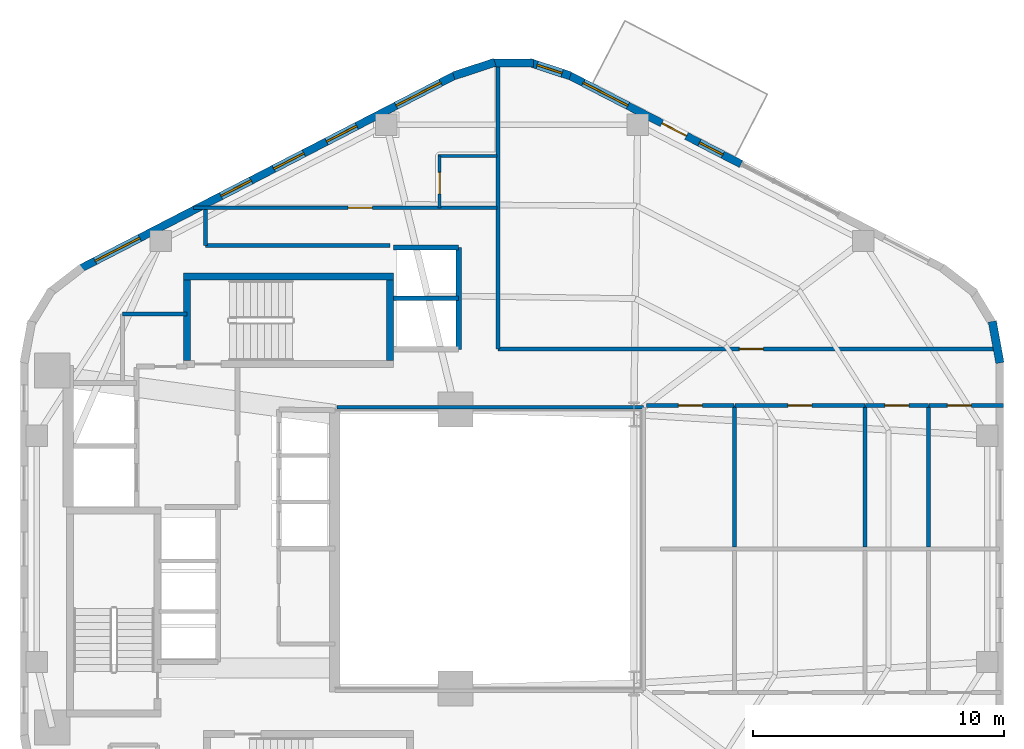
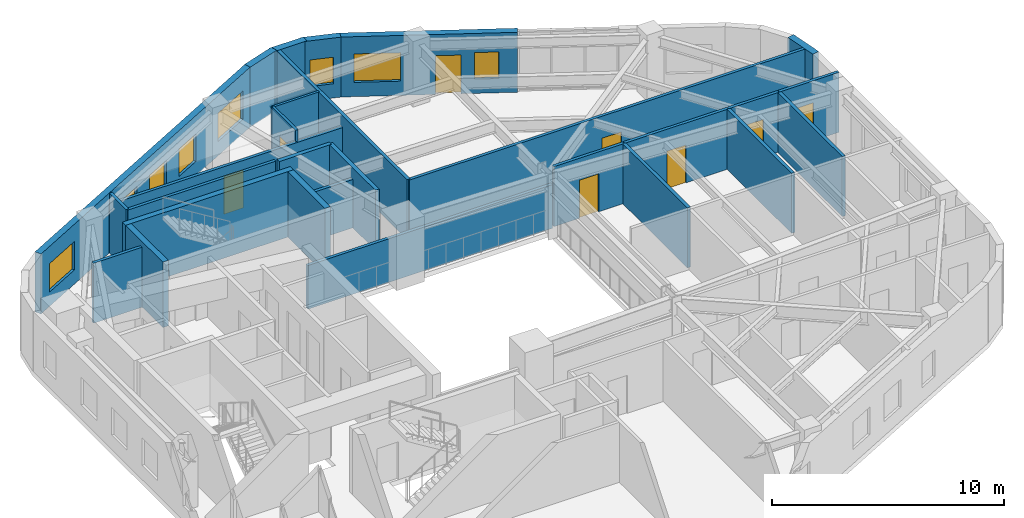
# One storey, part 8 of 11: 28 walls, 8 doors, 8 windows, 16 openings.
"""IFC4 building model written with IfcOpenShell, lengths in metres."""

from ifc_helpers import new_model, si_unit, direction, frame, frame_2d, origin, place, context, subcontext, project, spatial, rectangle, extrude, material, layer, layer_set, type_object, element, fill, save


model = new_model("IFC4")

# Units and contexts
model_context = context("Model", 3, precision=1e-05, world=origin(), true_north=direction((0.0, 1.0)))
body_context = subcontext(model_context, "Body", "Model", "MODEL_VIEW")
ifc_project = project(units=[si_unit("LENGTHUNIT", "METRE"), si_unit("AREAUNIT", "SQUARE_METRE"), si_unit("VOLUMEUNIT", "CUBIC_METRE"), si_unit("PLANEANGLEUNIT", "RADIAN"), si_unit("MASSUNIT", "GRAM", prefix="KILO"), si_unit("THERMODYNAMICTEMPERATUREUNIT", "KELVIN"), si_unit("POWERUNIT", "WATT")], contexts=[model_context])

# Site, building, storey
site_placement = place(None, origin())
site = spatial("IfcSite", under=ifc_project, at=site_placement, CompositionType="ELEMENT")
building_placement = place(site_placement, origin())
building = spatial("IfcBuilding", under=site, at=building_placement, Name="Skarre Station Tower", CompositionType="ELEMENT")
storey_placement = place(building_placement, frame((0.0, 0.0, 170.550048828125)))
storey = spatial("IfcBuildingStorey", under=building, at=storey_placement, Name="L46", CompositionType="ELEMENT", Elevation=170.550048828125)

# Walls
ifc_material_1 = material(Name="Acoustic Steel-Stud Gypsum Partition", Category="steel")
ifc_layer_1 = layer(ifc_material_1, 0.14990234375, Name="Acoustic Steel-Stud Gypsum Partition")
ifc_layer_set_1 = layer_set([ifc_layer_1], Name="Acoustic Steel-Stud Gypsum Partition")
wall_type_1 = type_object("IfcWallType", Name="Fire-Rated Corridor Acoustic Partition 150", PredefinedType="PARTITIONING", material=ifc_layer_set_1)
wall_1_placement = place(storey_placement, frame((21.659912109375, 33.35009765625, 0.0), z_axis=(0.0, 0.0, 1.0), x_axis=(-1.0, 0.0, 0.0)))
element("IfcWall", 1, at=wall_1_placement, inside=storey, type_object=wall_type_1, Name="L46 Interior Partition WL-PT-L46-CNW-N1", PredefinedType="PARTITIONING", context=body_context, shape_type="SweptSolid", body=[
    extrude(rectangle(XDim=2.559814453125, YDim=0.14990234375, at=frame_2d((1.27978515625, 0.0))), origin(), (0.0, 0.0, 1.0), 3.159912109375),
])
wall_2_placement = place(storey_placement, frame((39.840087890625, 29.639892578125, 0.0), z_axis=(0.0, 0.0, 1.0), x_axis=(-1.0, 0.0, 0.0)))
element("IfcWall", 2, at=wall_2_placement, inside=storey, type_object=wall_type_1, Name="L46 Interior Partition WL-PT-L46-ATRW-N", PredefinedType="PARTITIONING", context=body_context, shape_type="SweptSolid", body=[
    extrude(rectangle(XDim=12.2001953125, YDim=0.14990234375, at=frame_2d((6.10009765625, 0.0))), origin(), (0.0, 0.0, 1.0), 2.301025390625),
])

# Wall, opening, door
wall_3_placement = place(storey_placement, frame((34.0, 37.580078125, 0.0), z_axis=(0.0, 0.0, 1.0), x_axis=(-1.0, 0.0, 0.0)))
wall_3 = element("IfcWall", 3, at=wall_3_placement, inside=storey, type_object=wall_type_1, Name="L46 Interior Partition WL-PT-L46-NWW1-CW", PredefinedType="PARTITIONING", context=body_context, shape_type="SweptSolid", body=[
    extrude(rectangle(XDim=12.074951171875, YDim=0.14990234375, at=frame_2d((6.03759765625, 0.0))), origin(), (0.0, 0.0, 1.0), 2.552001953125),
])
opening_1_placement = place(wall_3_placement, frame((4.9599609375, 0.0, 0.0)))
opening_1 = element("IfcOpeningElement", 4, at=opening_1_placement, cuts=wall_3, Name="Opening DR-FD60", PredefinedType="OPENING", context=body_context, shape_type="SweptSolid", body=[
    extrude(rectangle(XDim=0.9599609375, YDim=2.0, at=frame_2d((0.47998046875, 1.0))), frame((0.0, 0.0849609375, 0.0), z_axis=(0.0, -1.0, 0.0), x_axis=(1.0, 0.0, 0.0)), (0.0, 0.0, 1.0), 0.169921875),
])
ifc_material_2 = material(Name="Nordic White-Oak Veneer Solid-Core Fire Leaf", Category="wood")
door_type_1 = type_object("IfcDoorType", Name="Corridor Suite Entry Fire Door FD60 960x2150", OperationType="SINGLE_SWING_LEFT", PredefinedType="DOOR", material=ifc_material_2)
door_1_placement = place(opening_1_placement, origin())
door_1 = element("IfcDoor", 5, at=door_1_placement, inside=storey, type_object=door_type_1, Name="L46 NWW1 Entry Door", OperationType="SINGLE_SWING_LEFT", OverallHeight=2.0, OverallWidth=0.9599609375, PredefinedType="DOOR", context=body_context, shape_type="SweptSolid", body=[
    extrude(rectangle(XDim=0.9599609375, YDim=2.0, at=frame_2d((0.47998046875, 1.0))), frame((0.0, 0.02490234375, 0.0), z_axis=(0.0, -1.0, 0.0), x_axis=(1.0, 0.0, 0.0)), (0.0, 0.0, 1.0), 0.050048828125),
])
fill(opening_1, door_1)

wall_4_placement = place(storey_placement, frame((54.077880859375, 31.9599609375, 0.0), z_axis=(0.0, 0.0, 1.0), x_axis=(-1.0, 0.0, 0.0)))
wall_4 = element("IfcWall", 6, at=wall_4_placement, inside=storey, type_object=wall_type_1, Name="L46 Interior Partition WL-PT-L46-NW1-CW", PredefinedType="PARTITIONING", context=body_context, shape_type="SweptSolid", body=[
    extrude(rectangle(XDim=20.037841796875, YDim=0.14990234375, at=frame_2d((10.01904296875, 0.0))), origin(), (0.0, 0.0, 1.0), 3.159912109375),
])
opening_2_placement = place(wall_4_placement, frame((9.468017578125, 0.0, 0.0)))
opening_2 = element("IfcOpeningElement", 7, at=opening_2_placement, cuts=wall_4, Name="Opening DR-FD60", PredefinedType="OPENING", context=body_context, shape_type="SweptSolid", body=[
    extrude(rectangle(XDim=0.9599609375, YDim=2.0, at=frame_2d((0.47998046875, 1.0))), frame((0.0, 0.0849609375, 0.0), z_axis=(0.0, -1.0, 0.0), x_axis=(1.0, 0.0, 0.0)), (0.0, 0.0, 1.0), 0.169921875),
])
door_2_placement = place(opening_2_placement, origin())
door_2 = element("IfcDoor", 8, at=door_2_placement, inside=storey, type_object=door_type_1, Name="L46 NW1 Entry Door", OperationType="SINGLE_SWING_LEFT", OverallHeight=2.0, OverallWidth=0.9599609375, PredefinedType="DOOR", context=body_context, shape_type="SweptSolid", body=[
    extrude(rectangle(XDim=0.9599609375, YDim=2.0, at=frame_2d((0.47998046875, 1.0))), frame((0.0, 0.02490234375, 0.0), z_axis=(0.0, -1.0, 0.0), x_axis=(1.0, 0.0, 0.0)), (0.0, 0.0, 1.0), 0.050048828125),
])
fill(opening_2, door_2)

wall_5_placement = place(storey_placement, frame((39.949951171875, 29.7099609375, 0.0), z_axis=(0.0, 0.0, 1.0), x_axis=(1.0, 0.0, 0.0)))
wall_5 = element("IfcWall", 9, at=wall_5_placement, inside=storey, type_object=wall_type_1, Name="L46 Interior Partition WL-PT-L46-EWN1-CW", PredefinedType="PARTITIONING", context=body_context, shape_type="SweptSolid", body=[
    extrude(rectangle(XDim=3.49609375, YDim=0.14990234375, at=frame_2d((1.748046875, 0.0))), origin(), (0.0, 0.0, 1.0), 3.159912109375),
])
opening_3_placement = place(wall_5_placement, frame((1.26806640625, 0.0, 0.0)))
opening_3 = element("IfcOpeningElement", 10, at=opening_3_placement, cuts=wall_5, Name="Opening DR-FD60", PredefinedType="OPENING", context=body_context, shape_type="SweptSolid", body=[
    extrude(rectangle(XDim=0.9599609375, YDim=2.0, at=frame_2d((0.47998046875, 1.0))), frame((0.0, 0.0849609375, 0.0), z_axis=(0.0, -1.0, 0.0), x_axis=(1.0, 0.0, 0.0)), (0.0, 0.0, 1.0), 0.169921875),
])
door_3_placement = place(opening_3_placement, origin())
door_3 = element("IfcDoor", 11, at=door_3_placement, inside=storey, type_object=door_type_1, Name="L46 EWN1 Entry Door", OperationType="SINGLE_SWING_LEFT", OverallHeight=2.0, OverallWidth=0.9599609375, PredefinedType="DOOR", context=body_context, shape_type="SweptSolid", body=[
    extrude(rectangle(XDim=0.9599609375, YDim=2.0, at=frame_2d((0.47998046875, 1.0))), frame((0.0, 0.02490234375, 0.0), z_axis=(0.0, -1.0, 0.0), x_axis=(1.0, 0.0, 0.0)), (0.0, 0.0, 1.0), 0.050048828125),
])
fill(opening_3, door_3)

wall_6_placement = place(storey_placement, frame((43.47607421875, 29.7099609375, 0.0), z_axis=(0.0, 0.0, 1.0), x_axis=(1.0, 0.0, 0.0)))
wall_6 = element("IfcWall", 12, at=wall_6_placement, inside=storey, type_object=wall_type_1, Name="L46 Interior Partition WL-PT-L46-EWN2-CW", PredefinedType="PARTITIONING", context=body_context, shape_type="SweptSolid", body=[
    extrude(rectangle(XDim=5.1650390625, YDim=0.14990234375, at=frame_2d((2.58251953125, 0.0))), origin(), (0.0, 0.0, 1.0), 3.159912109375),
])
opening_4_placement = place(wall_6_placement, frame((2.10205078125, 0.0, 0.0)))
opening_4 = element("IfcOpeningElement", 13, at=opening_4_placement, cuts=wall_6, Name="Opening DR-FD60", PredefinedType="OPENING", context=body_context, shape_type="SweptSolid", body=[
    extrude(rectangle(XDim=0.9599609375, YDim=2.0, at=frame_2d((0.47998046875, 1.0))), frame((0.0, 0.0849609375, 0.0), z_axis=(0.0, -1.0, 0.0), x_axis=(1.0, 0.0, 0.0)), (0.0, 0.0, 1.0), 0.169921875),
])
door_4_placement = place(opening_4_placement, origin())
door_4 = element("IfcDoor", 14, at=door_4_placement, inside=storey, type_object=door_type_1, Name="L46 EWN2 Entry Door", OperationType="SINGLE_SWING_LEFT", OverallHeight=2.0, OverallWidth=0.9599609375, PredefinedType="DOOR", context=body_context, shape_type="SweptSolid", body=[
    extrude(rectangle(XDim=0.9599609375, YDim=2.0, at=frame_2d((0.47998046875, 1.0))), frame((0.0, 0.02490234375, 0.0), z_axis=(0.0, -1.0, 0.0), x_axis=(1.0, 0.0, 0.0)), (0.0, 0.0, 1.0), 0.050048828125),
])
fill(opening_4, door_4)

wall_7_placement = place(storey_placement, frame((48.6708984375, 29.7099609375, 0.0), z_axis=(0.0, 0.0, 1.0), x_axis=(1.0, 0.0, 0.0)))
wall_7 = element("IfcWall", 15, at=wall_7_placement, inside=storey, type_object=wall_type_1, Name="L46 Interior Partition WL-PT-L46-EWN3-CW", PredefinedType="PARTITIONING", context=body_context, shape_type="SweptSolid", body=[
    extrude(rectangle(XDim=2.498046875, YDim=0.14990234375, at=frame_2d((1.2490234375, 0.0))), origin(), (0.0, 0.0, 1.0), 3.159912109375),
])
opening_5_placement = place(wall_7_placement, frame((0.76904296875, 0.0, 0.0)))
opening_5 = element("IfcOpeningElement", 16, at=opening_5_placement, cuts=wall_7, Name="Opening DR-FD60", PredefinedType="OPENING", context=body_context, shape_type="SweptSolid", body=[
    extrude(rectangle(XDim=0.9599609375, YDim=2.0, at=frame_2d((0.47998046875, 1.0))), frame((0.0, 0.0849609375, 0.0), z_axis=(0.0, -1.0, 0.0), x_axis=(1.0, 0.0, 0.0)), (0.0, 0.0, 1.0), 0.169921875),
])
door_5_placement = place(opening_5_placement, origin())
door_5 = element("IfcDoor", 17, at=door_5_placement, inside=storey, type_object=door_type_1, Name="L46 EWN3 Entry Door", OperationType="SINGLE_SWING_LEFT", OverallHeight=2.0, OverallWidth=0.9599609375, PredefinedType="DOOR", context=body_context, shape_type="SweptSolid", body=[
    extrude(rectangle(XDim=0.9599609375, YDim=2.0, at=frame_2d((0.47998046875, 1.0))), frame((0.0, 0.02490234375, 0.0), z_axis=(0.0, -1.0, 0.0), x_axis=(1.0, 0.0, 0.0)), (0.0, 0.0, 1.0), 0.050048828125),
])
fill(opening_5, door_5)

wall_8_placement = place(storey_placement, frame((51.198974609375, 29.7099609375, 0.0), z_axis=(0.0, 0.0, 1.0), x_axis=(1.0, 0.0, 0.0)))
wall_8 = element("IfcWall", 18, at=wall_8_placement, inside=storey, type_object=wall_type_1, Name="L46 Interior Partition WL-PT-L46-EWN4-CW", PredefinedType="PARTITIONING", context=body_context, shape_type="SweptSolid", body=[
    extrude(rectangle(XDim=2.963134765625, YDim=0.14990234375, at=frame_2d((1.4814453125, 0.0))), origin(), (0.0, 0.0, 1.0), 3.159912109375),
])
opening_6_placement = place(wall_8_placement, frame((0.72607421875, 0.0, 0.0)))
opening_6 = element("IfcOpeningElement", 19, at=opening_6_placement, cuts=wall_8, Name="Opening DR-FD60", PredefinedType="OPENING", context=body_context, shape_type="SweptSolid", body=[
    extrude(rectangle(XDim=0.9599609375, YDim=2.0, at=frame_2d((0.47998046875, 1.0))), frame((0.0, 0.0849609375, 0.0), z_axis=(0.0, -1.0, 0.0), x_axis=(1.0, 0.0, 0.0)), (0.0, 0.0, 1.0), 0.169921875),
])
door_6_placement = place(opening_6_placement, origin())
door_6 = element("IfcDoor", 20, at=door_6_placement, inside=storey, type_object=door_type_1, Name="L46 EWN4 Entry Door", OperationType="SINGLE_SWING_LEFT", OverallHeight=2.0, OverallWidth=0.9599609375, PredefinedType="DOOR", context=body_context, shape_type="SweptSolid", body=[
    extrude(rectangle(XDim=0.9599609375, YDim=2.0, at=frame_2d((0.47998046875, 1.0))), frame((0.0, 0.02490234375, 0.0), z_axis=(0.0, -1.0, 0.0), x_axis=(1.0, 0.0, 0.0)), (0.0, 0.0, 1.0), 0.050048828125),
])
fill(opening_6, door_6)

# Walls
wall_9_placement = place(storey_placement, frame((29.7529296875, 36.080078125, 0.0), z_axis=(0.0, 0.0, 1.0), x_axis=(-1.0, 0.0, 0.0)))
element("IfcWall", 21, at=wall_9_placement, inside=storey, type_object=wall_type_1, Name="L46 Interior Partition WL-PT-L46-CSEAL-1", PredefinedType="PARTITIONING", context=body_context, shape_type="SweptSolid", body=[
    extrude(rectangle(XDim=7.35302734375, YDim=0.14990234375, at=frame_2d((3.676513671875, 0.0))), origin(), (0.0, 0.0, 1.0), 3.159912109375),
])
wall_10_placement = place(storey_placement, frame((22.39990234375, 36.080078125, 0.0), z_axis=(0.0, 0.0, 1.0), x_axis=(0.0, 1.0, 0.0)))
element("IfcWall", 22, at=wall_10_placement, inside=storey, type_object=wall_type_1, Name="L46 Interior Partition WL-PT-L46-CSEAL-2", PredefinedType="PARTITIONING", context=body_context, shape_type="SweptSolid", body=[
    extrude(rectangle(XDim=1.429931640625, YDim=0.14990234375, at=frame_2d((0.71484375, 0.0))), origin(), (0.0, 0.0, 1.0), 3.159912109375),
])
ifc_material_3 = material(Name="Insulated Timber-Stud Gypsum Partition", Category="wood")
ifc_layer_2 = layer(ifc_material_3, 0.1201171875, Name="Insulated Timber-Stud Gypsum Partition")
ifc_layer_set_2 = layer_set([ifc_layer_2], Name="Insulated Timber-Stud Gypsum Partition")
wall_type_2 = type_object("IfcWallType", Name="Internal Suite Acoustic Partition 120", PredefinedType="PARTITIONING", material=ifc_layer_set_2)
wall_11_placement = place(storey_placement, frame((34.0, 39.639892578125, 0.0), z_axis=(0.0, 0.0, 1.0), x_axis=(-1.0, 0.0, 0.0)))
element("IfcWall", 23, at=wall_11_placement, inside=storey, type_object=wall_type_2, Name="L46 Interior Partition WL-PT-L46-NWW1-EW3", PredefinedType="PARTITIONING", context=body_context, shape_type="SweptSolid", body=[
    extrude(rectangle(XDim=2.340087890625, YDim=0.1201171875, at=frame_2d((1.169921875, 0.0))), origin(), (0.0, 0.0, 1.0), 3.159912109375),
])

# Wall, opening, door
wall_12_placement = place(storey_placement, frame((31.719970703125, 39.639892578125, 0.0), z_axis=(0.0, 0.0, 1.0), x_axis=(0.0, -1.0, 0.0)))
wall_12 = element("IfcWall", 24, at=wall_12_placement, inside=storey, type_object=wall_type_2, Name="L46 Interior Partition WL-PT-L46-NWW1-EW4", PredefinedType="PARTITIONING", context=body_context, shape_type="SweptSolid", body=[
    extrude(rectangle(XDim=2.059814453125, YDim=0.1201171875, at=frame_2d((1.02978515625, 0.0))), origin(), (0.0, 0.0, 1.0), 3.159912109375),
])
opening_7_placement = place(wall_12_placement, frame((0.64990234375, 0.0, 0.0)))
opening_7 = element("IfcOpeningElement", 25, at=opening_7_placement, cuts=wall_12, Name="Opening DR-INT86", PredefinedType="OPENING", context=body_context, shape_type="SweptSolid", body=[
    extrude(rectangle(XDim=0.860107421875, YDim=2.0, at=frame_2d((0.43017578125, 1.0))), frame((0.0, 0.070068359375, 0.0), z_axis=(0.0, -1.0, 0.0), x_axis=(1.0, 0.0, 0.0)), (0.0, 0.0, 1.0), 0.14013671875),
])
ifc_material_4 = material(Name="Nordic Birch Acoustic Solid-Core Timber Leaf", Category="wood")
door_type_2 = type_object("IfcDoorType", Name="Internal En-Suite & Bedroom Door 860x2100", OperationType="SINGLE_SWING_LEFT", PredefinedType="DOOR", material=ifc_material_4)
door_7_placement = place(opening_7_placement, origin())
door_7 = element("IfcDoor", 26, at=door_7_placement, inside=storey, type_object=door_type_2, Name="L46 NWW1 En-suite Door", OperationType="SINGLE_SWING_RIGHT", OverallHeight=2.0, OverallWidth=0.860107421875, PredefinedType="DOOR", context=body_context, shape_type="SweptSolid", body=[
    extrude(rectangle(XDim=0.860107421875, YDim=2.0, at=frame_2d((0.43017578125, 1.0))), frame((0.0, 0.02490234375, 0.0), z_axis=(0.0, -1.0, 0.0), x_axis=(1.0, 0.0, 0.0)), (0.0, 0.0, 1.0), 0.050048828125),
])
fill(opening_7, door_7)

# Walls
ifc_material_5 = material(Name="Precast concrete C45/55", Category="concrete")
ifc_layer_3 = layer(ifc_material_5, 0.330078125, Name="Precast concrete C45/55")
ifc_layer_set_3 = layer_set([ifc_layer_3], Name="Precast concrete C45/55")
wall_type_3 = type_object("IfcWallType", Name="Nordic Rounded Corner Precast Wall 330", PredefinedType="STANDARD", material=ifc_layer_set_3)
wall_13_placement = place(storey_placement, frame((53.718017578125, 33.056884765625, 0.0), z_axis=(0.0, 0.0, 1.0), x_axis=(0.180717642671, -0.983535019014, 0.0)))
element("IfcWall", 27, at=wall_13_placement, inside=storey, type_object=wall_type_3, Name="L46 Rounded Corner Precast Wall F0-3", PredefinedType="STANDARD", context=body_context, shape_type="SweptSolid", body=[
    extrude(rectangle(XDim=1.676513671875, YDim=0.330078125, at=frame_2d((0.83837890625, 0.0))), origin(), (0.0, 0.0, 1.0), 3.159912109375),
])
wall_14_placement = place(storey_placement, frame((32.281005859375, 42.83203125, 0.0), z_axis=(0.0, 0.0, 1.0), x_axis=(0.949937416267, 0.312440242569, 0.0)))
element("IfcWall", 28, at=wall_14_placement, inside=storey, type_object=wall_type_3, Name="L46 Rounded Corner Precast Wall F1-1", PredefinedType="STANDARD", context=body_context, shape_type="SweptSolid", body=[
    extrude(rectangle(XDim=1.72216796875, YDim=0.330078125, at=frame_2d((0.861083984375, 0.0))), origin(), (0.0, 0.0, 1.0), 3.159912109375),
])
wall_15_placement = place(storey_placement, frame((33.739013671875, 43.341064453125, 0.0), z_axis=(0.0, 0.0, 1.0), x_axis=(1.0, 0.0, 0.0)))
element("IfcWall", 29, at=wall_15_placement, inside=storey, type_object=wall_type_3, Name="L46 Rounded Corner Precast Wall F1-2", PredefinedType="STANDARD", context=body_context, shape_type="SweptSolid", body=[
    extrude(rectangle(XDim=1.721923828125, YDim=0.330078125, at=frame_2d((0.86083984375, 0.0))), origin(), (0.0, 0.0, 1.0), 3.159912109375),
])

# Wall, opening, window
wall_16_placement = place(storey_placement, frame((35.282958984375, 43.3701171875, 0.0), z_axis=(0.0, 0.0, 1.0), x_axis=(0.949937416267, -0.312440242569, 0.0)))
wall_16 = element("IfcWall", 30, at=wall_16_placement, inside=storey, type_object=wall_type_3, Name="L46 Rounded Corner Precast Wall F1-3", PredefinedType="STANDARD", context=body_context, shape_type="SweptSolid", body=[
    extrude(rectangle(XDim=1.72216796875, YDim=0.330078125, at=frame_2d((0.861083984375, 0.0))), origin(), (0.0, 0.0, 1.0), 3.159912109375),
])
opening_8_placement = place(wall_16_placement, frame((0.3359375, 0.0, 0.75)))
opening_8 = element("IfcOpeningElement", 31, at=opening_8_placement, cuts=wall_16, Name="Opening WN-SLT", PredefinedType="OPENING", context=body_context, shape_type="SweptSolid", body=[
    extrude(rectangle(XDim=1.050048828125, YDim=1.39990234375, at=frame_2d((0.52490234375, 0.699951171875))), frame((0.0, 0.175048828125, 0.0), z_axis=(0.0, -1.0, 0.0), x_axis=(1.0, 0.0, 0.0)), (0.0, 0.0, 1.0), 0.35009765625),
])
ifc_material_6 = material(Name="Low-Iron Triple Glazing with Bronze Anodized Frame", Category="glass")
window_type_1 = type_object("IfcWindowType", Name="Nordic Corner Slot Window 1050x1400", PartitioningType="SINGLE_PANEL", PredefinedType="WINDOW", material=ifc_material_6)
window_1_placement = place(opening_8_placement, origin())
window_1 = element("IfcWindow", 32, at=window_1_placement, inside=storey, type_object=window_type_1, Name="L46 Apex Corner Slot Window F1-3", OverallHeight=1.39990234375, OverallWidth=1.050048828125, PartitioningType="SINGLE_PANEL", PredefinedType="WINDOW", context=body_context, shape_type="SweptSolid", body=[
    extrude(rectangle(XDim=1.050048828125, YDim=1.39990234375, at=frame_2d((0.52490234375, 0.699951171875))), frame((0.0, 0.030029296875, 0.0), z_axis=(0.0, -1.0, 0.0), x_axis=(1.0, 0.0, 0.0)), (0.0, 0.0, 1.0), 0.06005859375),
])
fill(opening_8, window_1)

# Wall, openings, windows, door
ifc_layer_4 = layer(ifc_material_5, 0.31005859375, Name="Precast concrete C45/55")
ifc_layer_set_4 = layer_set([ifc_layer_4], Name="Precast concrete C45/55")
wall_type_4 = type_object("IfcWallType", Name="Nordic Upper-Zone Precast Facet Wall 310", PredefinedType="STANDARD", material=ifc_layer_set_4)
wall_17_placement = place(storey_placement, frame((36.837890625, 42.87109375, 0.0), z_axis=(0.0, 0.0, 1.0), x_axis=(0.888645948291, -0.458593914686, 0.0)))
wall_17 = element("IfcWall", 33, at=wall_17_placement, inside=storey, type_object=wall_type_4, Name="L46 Facet 0 Pier A", PredefinedType="STANDARD", context=body_context, shape_type="SweptSolid", body=[
    extrude(rectangle(XDim=7.7412109375, YDim=0.31005859375, at=frame_2d((3.87060546875, 0.0))), origin(), (0.0, 0.0, 1.0), 3.159912109375),
])
opening_9_placement = place(wall_17_placement, frame((4.196044921875, 0.0, 0.0)))
opening_9 = element("IfcOpeningElement", 34, at=opening_9_placement, cuts=wall_17, Name="Opening DR-BAL110", PredefinedType="OPENING", context=body_context, shape_type="SweptSolid", body=[
    extrude(rectangle(XDim=1.10009765625, YDim=2.0400390625, at=frame_2d((0.550048828125, 1.02001953125))), frame((0.0, 0.1650390625, 0.0), z_axis=(0.0, -1.0, 0.0), x_axis=(1.0, 0.0, 0.0)), (0.0, 0.0, 1.0), 0.330078125),
])
opening_10_placement = place(wall_17_placement, frame((0.675048828125, 0.0, 0.75)))
opening_10 = element("IfcOpeningElement", 35, at=opening_10_placement, cuts=wall_17, Name="Opening WN-Z3A", PredefinedType="OPENING", context=body_context, shape_type="SweptSolid", body=[
    extrude(rectangle(XDim=2.0, YDim=1.5, at=frame_2d((1.0, 0.75))), frame((0.0, 0.1650390625, 0.0), z_axis=(0.0, -1.0, 0.0), x_axis=(1.0, 0.0, 0.0)), (0.0, 0.0, 1.0), 0.330078125),
])
opening_11_placement = place(wall_17_placement, frame((5.87890625, 0.0, 0.75)))
opening_11 = element("IfcOpeningElement", 36, at=opening_11_placement, cuts=wall_17, Name="Opening WN-SLT", PredefinedType="OPENING", context=body_context, shape_type="SweptSolid", body=[
    extrude(rectangle(XDim=1.050048828125, YDim=1.39990234375, at=frame_2d((0.52490234375, 0.699951171875))), frame((0.0, 0.1650390625, 0.0), z_axis=(0.0, -1.0, 0.0), x_axis=(1.0, 0.0, 0.0)), (0.0, 0.0, 1.0), 0.330078125),
])
window_2_placement = place(opening_11_placement, origin())
window_2 = element("IfcWindow", 37, at=window_2_placement, inside=storey, type_object=window_type_1, Name="L46 Facade Window WL-FAC-L46-F0A-2", OverallHeight=1.39990234375, OverallWidth=1.050048828125, PartitioningType="SINGLE_PANEL", PredefinedType="WINDOW", context=body_context, shape_type="SweptSolid", body=[
    extrude(rectangle(XDim=1.050048828125, YDim=1.39990234375, at=frame_2d((0.52490234375, 0.699951171875))), frame((0.0, 0.030029296875, 0.0), z_axis=(0.0, -1.0, 0.0), x_axis=(1.0, 0.0, 0.0)), (0.0, 0.0, 1.0), 0.06005859375),
])
fill(opening_11, window_2)
window_type_2 = type_object("IfcWindowType", Name="Nordic Hospitality Window 2000x1500", PartitioningType="SINGLE_PANEL", PredefinedType="WINDOW", material=ifc_material_6)
window_3_placement = place(opening_10_placement, origin())
window_3 = element("IfcWindow", 38, at=window_3_placement, inside=storey, type_object=window_type_2, Name="L46 Facade Window WL-FAC-L46-F0A-1", OverallHeight=1.5, OverallWidth=2.0, PartitioningType="SINGLE_PANEL", PredefinedType="WINDOW", context=body_context, shape_type="SweptSolid", body=[
    extrude(rectangle(XDim=2.0, YDim=1.5, at=frame_2d((1.0, 0.75))), frame((0.0, 0.030029296875, 0.0), z_axis=(0.0, -1.0, 0.0), x_axis=(1.0, 0.0, 0.0)), (0.0, 0.0, 1.0), 0.06005859375),
])
fill(opening_10, window_3)
ifc_material_7 = material(Name="Thermally Broken Aluminium & Triple Glazing", Category="aluminium")
door_type_3 = type_object("IfcDoorType", Name="Terrace & Tree-Balcony Glazed Door 1100x2200", OperationType="SINGLE_SWING_LEFT", PredefinedType="DOOR", material=ifc_material_7)
door_8_placement = place(opening_9_placement, origin())
door_8 = element("IfcDoor", 39, at=door_8_placement, inside=storey, type_object=door_type_3, Name="L46 SG-2 Conservatory Terrace Door", OperationType="SINGLE_SWING_LEFT", OverallHeight=2.0400390625, OverallWidth=1.10009765625, PredefinedType="DOOR", context=body_context, shape_type="SweptSolid", body=[
    extrude(rectangle(XDim=1.10009765625, YDim=2.0400390625, at=frame_2d((0.550048828125, 1.02001953125))), frame((0.0, 0.02490234375, 0.0), z_axis=(0.0, -1.0, 0.0), x_axis=(1.0, 0.0, 0.0)), (0.0, 0.0, 1.0), 0.050048828125),
])
fill(opening_9, door_8)

# Wall, openings, windows
wall_18_placement = place(storey_placement, frame((17.407958984375, 35.153076171875, 0.0), z_axis=(0.0, 0.0, 1.0), x_axis=(0.888626188278, 0.458632202867, 0.0)))
wall_18 = element("IfcWall", 40, at=wall_18_placement, inside=storey, type_object=wall_type_4, Name="L46 Facet 1 Nordic Precast Masonry Wall", PredefinedType="STANDARD", context=body_context, shape_type="SweptSolid", body=[
    extrude(rectangle(XDim=16.828369140625, YDim=0.31005859375, at=frame_2d((8.4140625, 0.0))), origin(), (0.0, 0.0, 1.0), 3.159912109375),
])
opening_12_placement = place(wall_18_placement, frame((0.675048828125, 0.0, 0.75)))
opening_12 = element("IfcOpeningElement", 41, at=opening_12_placement, cuts=wall_18, Name="Opening WN-Z3A", PredefinedType="OPENING", context=body_context, shape_type="SweptSolid", body=[
    extrude(rectangle(XDim=2.0, YDim=1.5, at=frame_2d((1.0, 0.75))), frame((0.0, 0.1650390625, 0.0), z_axis=(0.0, -1.0, 0.0), x_axis=(1.0, 0.0, 0.0)), (0.0, 0.0, 1.0), 0.330078125),
])
opening_13_placement = place(wall_18_placement, frame((6.31201171875, 0.0, 0.75)))
opening_13 = element("IfcOpeningElement", 42, at=opening_13_placement, cuts=wall_18, Name="Opening WN-Z3B", PredefinedType="OPENING", context=body_context, shape_type="SweptSolid", body=[
    extrude(rectangle(XDim=1.35009765625, YDim=1.449951171875, at=frame_2d((0.675048828125, 0.72509765625))), frame((0.0, 0.1650390625, 0.0), z_axis=(0.0, -1.0, 0.0), x_axis=(1.0, 0.0, 0.0)), (0.0, 0.0, 1.0), 0.330078125),
])
opening_14_placement = place(wall_18_placement, frame((8.676025390625, 0.0, 0.75)))
opening_14 = element("IfcOpeningElement", 43, at=opening_14_placement, cuts=wall_18, Name="Opening WN-Z3B", PredefinedType="OPENING", context=body_context, shape_type="SweptSolid", body=[
    extrude(rectangle(XDim=1.35009765625, YDim=1.449951171875, at=frame_2d((0.675048828125, 0.72509765625))), frame((0.0, 0.1650390625, 0.0), z_axis=(0.0, -1.0, 0.0), x_axis=(1.0, 0.0, 0.0)), (0.0, 0.0, 1.0), 0.330078125),
])
opening_15_placement = place(wall_18_placement, frame((11.041015625, 0.0, 0.75)))
opening_15 = element("IfcOpeningElement", 44, at=opening_15_placement, cuts=wall_18, Name="Opening WN-Z3B", PredefinedType="OPENING", context=body_context, shape_type="SweptSolid", body=[
    extrude(rectangle(XDim=1.35009765625, YDim=1.449951171875, at=frame_2d((0.675048828125, 0.72509765625))), frame((0.0, 0.1650390625, 0.0), z_axis=(0.0, -1.0, 0.0), x_axis=(1.0, 0.0, 0.0)), (0.0, 0.0, 1.0), 0.330078125),
])
opening_16_placement = place(wall_18_placement, frame((14.153076171875, 0.0, 0.75)))
opening_16 = element("IfcOpeningElement", 45, at=opening_16_placement, cuts=wall_18, Name="Opening WN-Z3A", PredefinedType="OPENING", context=body_context, shape_type="SweptSolid", body=[
    extrude(rectangle(XDim=2.0, YDim=1.5, at=frame_2d((1.0, 0.75))), frame((0.0, 0.1650390625, 0.0), z_axis=(0.0, -1.0, 0.0), x_axis=(1.0, 0.0, 0.0)), (0.0, 0.0, 1.0), 0.330078125),
])
window_type_3 = type_object("IfcWindowType", Name="Nordic Hospitality Narrow Window 1350x1450", PartitioningType="SINGLE_PANEL", PredefinedType="WINDOW", material=ifc_material_6)
window_4_placement = place(opening_13_placement, origin())
window_4 = element("IfcWindow", 46, at=window_4_placement, inside=storey, type_object=window_type_3, Name="L46 Facade Window WL-FAC-L46-F1-2", OverallHeight=1.449951171875, OverallWidth=1.35009765625, PartitioningType="SINGLE_PANEL", PredefinedType="WINDOW", context=body_context, shape_type="SweptSolid", body=[
    extrude(rectangle(XDim=1.35009765625, YDim=1.449951171875, at=frame_2d((0.675048828125, 0.72509765625))), frame((0.0, 0.030029296875, 0.0), z_axis=(0.0, -1.0, 0.0), x_axis=(1.0, 0.0, 0.0)), (0.0, 0.0, 1.0), 0.06005859375),
])
fill(opening_13, window_4)
window_5_placement = place(opening_14_placement, origin())
window_5 = element("IfcWindow", 47, at=window_5_placement, inside=storey, type_object=window_type_3, Name="L46 Facade Window WL-FAC-L46-F1-3", OverallHeight=1.449951171875, OverallWidth=1.35009765625, PartitioningType="SINGLE_PANEL", PredefinedType="WINDOW", context=body_context, shape_type="SweptSolid", body=[
    extrude(rectangle(XDim=1.35009765625, YDim=1.449951171875, at=frame_2d((0.675048828125, 0.72509765625))), frame((0.0, 0.030029296875, 0.0), z_axis=(0.0, -1.0, 0.0), x_axis=(1.0, 0.0, 0.0)), (0.0, 0.0, 1.0), 0.06005859375),
])
fill(opening_14, window_5)
window_6_placement = place(opening_15_placement, origin())
window_6 = element("IfcWindow", 48, at=window_6_placement, inside=storey, type_object=window_type_3, Name="L46 Facade Window WL-FAC-L46-F1-4", OverallHeight=1.449951171875, OverallWidth=1.35009765625, PartitioningType="SINGLE_PANEL", PredefinedType="WINDOW", context=body_context, shape_type="SweptSolid", body=[
    extrude(rectangle(XDim=1.35009765625, YDim=1.449951171875, at=frame_2d((0.675048828125, 0.72509765625))), frame((0.0, 0.030029296875, 0.0), z_axis=(0.0, -1.0, 0.0), x_axis=(1.0, 0.0, 0.0)), (0.0, 0.0, 1.0), 0.06005859375),
])
fill(opening_15, window_6)
window_7_placement = place(opening_12_placement, origin())
window_7 = element("IfcWindow", 49, at=window_7_placement, inside=storey, type_object=window_type_2, Name="L46 Facade Window WL-FAC-L46-F1-1", OverallHeight=1.5, OverallWidth=2.0, PartitioningType="SINGLE_PANEL", PredefinedType="WINDOW", context=body_context, shape_type="SweptSolid", body=[
    extrude(rectangle(XDim=2.0, YDim=1.5, at=frame_2d((1.0, 0.75))), frame((0.0, 0.030029296875, 0.0), z_axis=(0.0, -1.0, 0.0), x_axis=(1.0, 0.0, 0.0)), (0.0, 0.0, 1.0), 0.06005859375),
])
fill(opening_12, window_7)
window_8_placement = place(opening_16_placement, origin())
window_8 = element("IfcWindow", 50, at=window_8_placement, inside=storey, type_object=window_type_2, Name="L46 Facade Window WL-FAC-L46-F1-5", OverallHeight=1.5, OverallWidth=2.0, PartitioningType="SINGLE_PANEL", PredefinedType="WINDOW", context=body_context, shape_type="SweptSolid", body=[
    extrude(rectangle(XDim=2.0, YDim=1.5, at=frame_2d((1.0, 0.75))), frame((0.0, 0.030029296875, 0.0), z_axis=(0.0, -1.0, 0.0), x_axis=(1.0, 0.0, 0.0)), (0.0, 0.0, 1.0), 0.06005859375),
])
fill(opening_16, window_8)

# Walls
ifc_material_8 = material(Name="Concrete C50/60", Category="concrete")
ifc_layer_5 = layer(ifc_material_8, 0.280029296875, Name="Concrete C50/60")
ifc_layer_set_5 = layer_set([ifc_layer_5], Name="Concrete C50/60")
wall_type_5 = type_object("IfcWallType", Name="RC Core Shear Wall 280", PredefinedType="SHEAR", material=ifc_layer_set_5)
wall_19_placement = place(storey_placement, frame((29.8798828125, 34.840087890625, 0.0), z_axis=(0.0, 0.0, 1.0), x_axis=(-1.0, 0.0, 0.0)))
element("IfcWall", 51, at=wall_19_placement, inside=storey, type_object=wall_type_5, Name="L46 Stair ST-3 North Shear Wall", PredefinedType="SHEAR", context=body_context, shape_type="SweptSolid", body=[
    extrude(rectangle(XDim=8.35986328125, YDim=0.280029296875, at=frame_2d((4.179931640625, 0.0))), origin(), (0.0, 0.0, 1.0), 3.449951171875),
])
for number, where, z_axis, x_axis, name in (
    (52, (21.659912109375, 34.699951171875, 0.0), (0.0, 0.0, 1.0), (0.0, -1.0, 0.0), "L46 Stair ST-3 West Shear Wall"),
    (53, (29.739990234375, 31.5, 0.0), (0.0, 0.0, 1.0), (0.0, 1.0, 0.0), "L46 Stair ST-3 East Shear Wall"),
):
    element("IfcWall", number, at=place(storey_placement, frame(where, z_axis=z_axis, x_axis=x_axis)), inside=storey, type_object=wall_type_5, Name=name, PredefinedType="SHEAR", context=body_context, shape_type="SweptSolid", body=[
        extrude(rectangle(XDim=3.199951171875, YDim=0.280029296875, at=frame_2d((1.60009765625, 0.0))), origin(), (0.0, 0.0, 1.0), 3.449951171875),
    ])
ifc_material_9 = material(Name="Gypsum Concrete Shaft Assembly C30/37", Category="concrete")
ifc_layer_6 = layer(ifc_material_9, 0.199951171875, Name="Gypsum Concrete Shaft Assembly C30/37")
ifc_layer_set_6 = layer_set([ifc_layer_6], Name="Gypsum Concrete Shaft Assembly C30/37")
wall_type_6 = type_object("IfcWallType", Name="Shaft & Core Fire Partition 200", PredefinedType="PARTITIONING", material=ifc_layer_set_6)
wall_20_placement = place(storey_placement, frame((32.47998046875, 31.949951171875, 0.0), z_axis=(0.0, 0.0, 1.0), x_axis=(0.0, 1.0, 0.0)))
element("IfcWall", 54, at=wall_20_placement, inside=storey, type_object=wall_type_6, Name="L46 Interior Partition WL-PT-L46-EX-E", PredefinedType="PARTITIONING", context=body_context, shape_type="SweptSolid", body=[
    extrude(rectangle(XDim=4.050048828125, YDim=0.199951171875, at=frame_2d((2.02490234375, 0.0))), origin(), (0.0, 0.0, 1.0), 3.159912109375),
])
wall_21_placement = place(storey_placement, frame((29.8798828125, 36.0, 0.0), z_axis=(0.0, 0.0, 1.0), x_axis=(1.0, 0.0, 0.0)))
element("IfcWall", 55, at=wall_21_placement, inside=storey, type_object=wall_type_6, Name="L46 Interior Partition WL-PT-L46-EX-N", PredefinedType="PARTITIONING", context=body_context, shape_type="SweptSolid", body=[
    extrude(rectangle(XDim=2.60009765625, YDim=0.199951171875, at=frame_2d((1.300048828125, 0.0))), origin(), (0.0, 0.0, 1.0), 3.159912109375),
])
wall_22_placement = place(storey_placement, frame((29.875, 33.97998046875, 0.0), z_axis=(0.0, 0.0, 1.0), x_axis=(1.0, 0.0, 0.0)))
element("IfcWall", 56, at=wall_22_placement, inside=storey, type_object=wall_type_6, Name="L46 Interior Partition WL-PT-L46-EX-DIV", PredefinedType="PARTITIONING", context=body_context, shape_type="SweptSolid", body=[
    extrude(rectangle(XDim=2.60498046875, YDim=0.159912109375, at=frame_2d((1.302490234375, 0.0))), origin(), (0.0, 0.0, 1.0), 2.552001953125),
])
ifc_layer_7 = layer(ifc_material_1, 0.1650390625, Name="Acoustic Steel-Stud Gypsum Partition")
ifc_layer_set_7 = layer_set([ifc_layer_7], Name="Acoustic Steel-Stud Gypsum Partition")
wall_type_7 = type_object("IfcWallType", Name="Suite Demising Acoustic Partition 165", PredefinedType="PARTITIONING", material=ifc_layer_set_7)
wall_23_placement = place(storey_placement, frame((34.0400390625, 31.9599609375, 0.0), z_axis=(0.0, 0.0, 1.0), x_axis=(0.0, 1.0, 0.0)))
element("IfcWall", 57, at=wall_23_placement, inside=storey, type_object=wall_type_7, Name="L46 Interior Partition WL-PT-L46-NW-WBND", PredefinedType="PARTITIONING", context=body_context, shape_type="SweptSolid", body=[
    extrude(rectangle(XDim=11.3759765625, YDim=0.1650390625, at=frame_2d((5.68798828125, 0.0))), origin(), (0.0, 0.0, 1.0), 3.159912109375),
])
for number, where, z_axis, x_axis, name in (
    (58, (43.4609375, 24.070068359375, 0.0), (0.0, 0.0, 1.0), (0.0, 1.0, 0.0), "L46 Interior Partition WL-PT-L46-EWN-P1"),
    (59, (48.656005859375, 24.070068359375, 0.0), (0.0, 0.0, 1.0), (0.0, 1.0, 0.0), "L46 Interior Partition WL-PT-L46-EWN-P2"),
    (60, (51.18408203125, 24.070068359375, 0.0), (0.0, 0.0, 1.0), (0.0, 1.0, 0.0), "L46 Interior Partition WL-PT-L46-EWN-P3"),
):
    element("IfcWall", number, at=place(storey_placement, frame(where, z_axis=z_axis, x_axis=x_axis)), inside=storey, type_object=wall_type_7, Name=name, PredefinedType="PARTITIONING", context=body_context, shape_type="SweptSolid", body=[
        extrude(rectangle(XDim=5.639892578125, YDim=0.1650390625, at=frame_2d((2.81982421875, 0.0))), origin(), (0.0, 0.0, 1.0), 3.159912109375),
    ])

save(model, "model.ifc")
